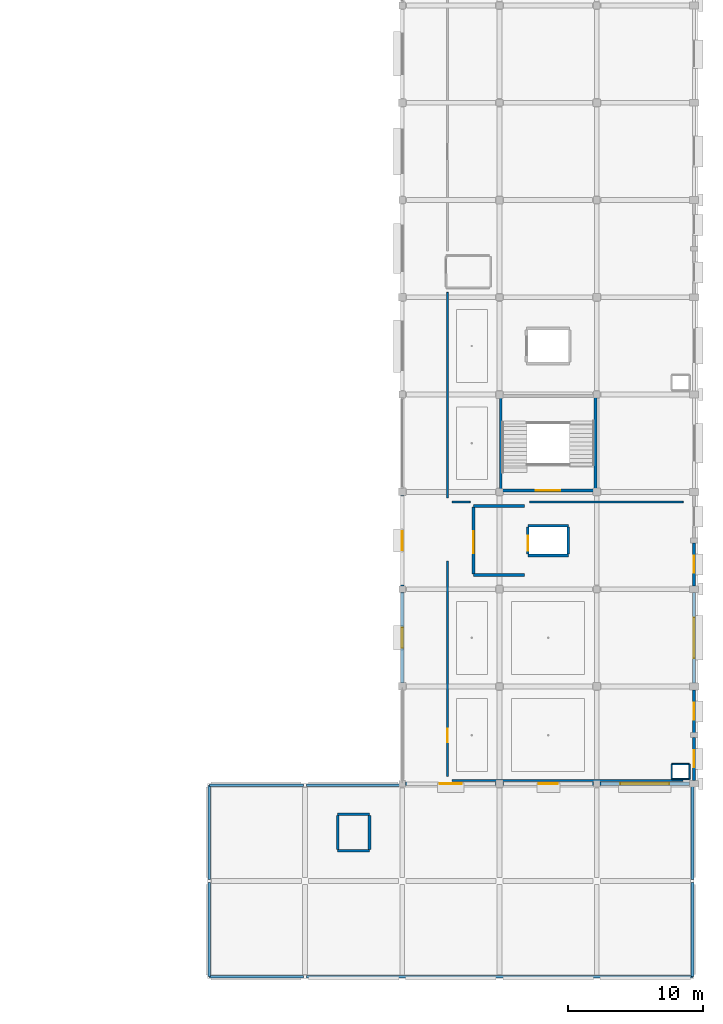
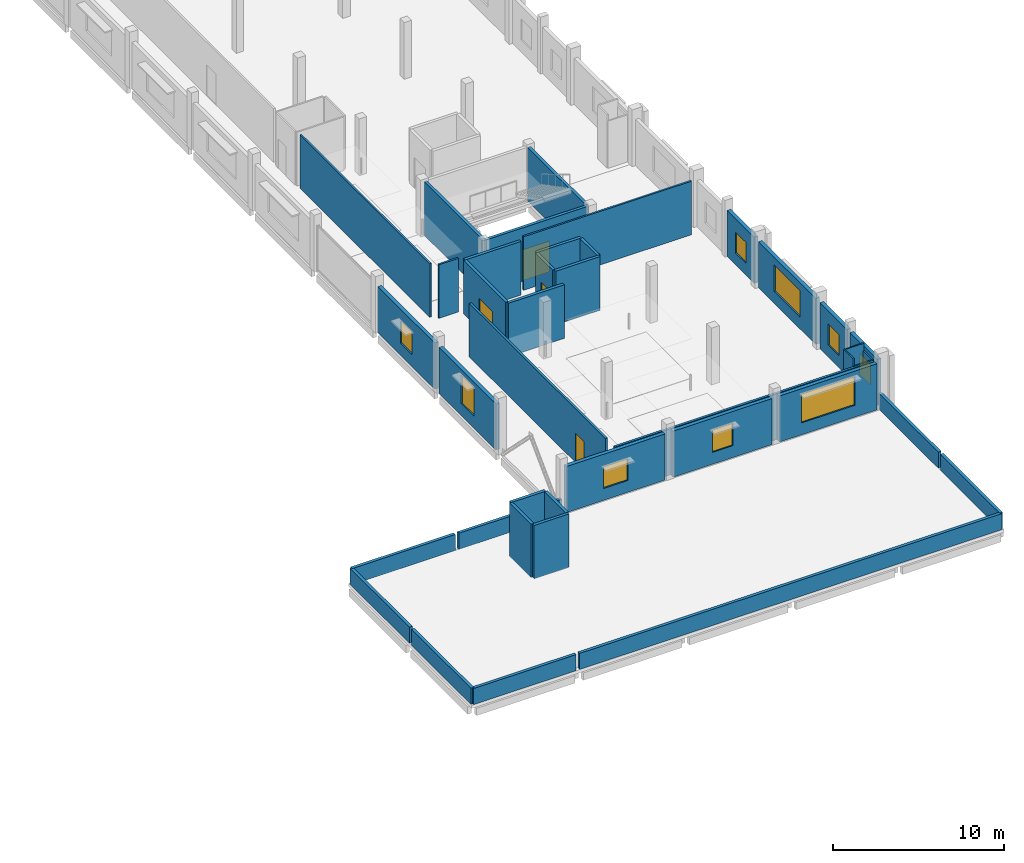
# One storey, part 17 of 26: 40 walls, 9 windows, 4 doors, 13 openings.
"""IFC4 building model written with IfcOpenShell, lengths in metres."""

from ifc_helpers import new_model, si_unit, direction, frame, frame_2d, origin, place, context, subcontext, project, spatial, rectangle, extrude, material, layer, layer_set, type_object, element, fill, save


model = new_model("IFC4")

# Units and contexts
model_context = context("Model", 3, precision=1e-05, world=origin(), true_north=direction((0.0, 1.0)))
body_context = subcontext(model_context, "Body", "Model", "MODEL_VIEW")
ifc_project = project(units=[si_unit("LENGTHUNIT", "METRE"), si_unit("AREAUNIT", "SQUARE_METRE"), si_unit("VOLUMEUNIT", "CUBIC_METRE"), si_unit("PLANEANGLEUNIT", "RADIAN"), si_unit("MASSUNIT", "GRAM", prefix="KILO")], contexts=[model_context])

# Site, building, storey
site_placement = place(None, origin())
site = spatial("IfcSite", under=ifc_project, at=site_placement, CompositionType="ELEMENT")
building_placement = place(site_placement, origin())
building = spatial("IfcBuilding", under=site, at=building_placement, Name="Kangsadwip Square Police Headquarters", CompositionType="ELEMENT")
storey_placement = place(building_placement, frame((0.0, 0.0, 25.64990234375)))
storey = spatial("IfcBuildingStorey", under=building, at=storey_placement, Name="L06", CompositionType="ELEMENT", Elevation=25.64990234375)

# Walls
ifc_material_1 = material(Name="Fire-rated double gypsum board acoustic stud partition", Category="masonry")
ifc_layer_1 = layer(ifc_material_1, 0.1201171875)
ifc_layer_set_1 = layer_set([ifc_layer_1], Name="Fire-rated double gypsum board acoustic stud partition")
wall_type_1 = type_object("IfcWallType", Name="AcousticPartition120", PredefinedType="PARTITIONING", material=ifc_layer_set_1)
wall_1_placement = place(storey_placement, frame((153.429443359375, 56.85009765625, 0.0), z_axis=(0.0, 0.0, 1.0), x_axis=(1.0, 0.0, 0.0)))
element("IfcWall", 1, at=wall_1_placement, inside=storey, type_object=wall_type_1, Name="Interior Wall WI-L06-0928", PredefinedType="PARTITIONING", context=body_context, shape_type="SweptSolid", body=[
    extrude(rectangle(XDim=11.37060546875, YDim=0.1201171875, at=frame_2d((5.685302734375, 0.0))), origin(), (0.0, 0.0, 1.0), 3.830078125),
])
wall_2_placement = place(storey_placement, frame((147.699951171875, 56.85009765625, 0.0), z_axis=(0.0, 0.0, 1.0), x_axis=(1.0, 0.0, 0.0)))
element("IfcWall", 2, at=wall_2_placement, inside=storey, type_object=wall_type_1, Name="Interior Wall WI-L06-0929", PredefinedType="PARTITIONING", context=body_context, shape_type="SweptSolid", body=[
    extrude(rectangle(XDim=1.33056640625, YDim=0.1201171875, at=frame_2d((0.665283203125, 0.0))), origin(), (0.0, 0.0, 1.0), 3.830078125),
])
wall_3_placement = place(storey_placement, frame((147.35009765625, 57.14990234375, 0.0), z_axis=(0.0, 0.0, 1.0), x_axis=(0.0, 1.0, 0.0)))
element("IfcWall", 3, at=wall_3_placement, inside=storey, type_object=wall_type_1, Name="Interior Wall WI-L06-0931", PredefinedType="PARTITIONING", context=body_context, shape_type="SweptSolid", body=[
    extrude(rectangle(XDim=15.22021484375, YDim=0.1201171875, at=frame_2d((7.610107421875, 0.0))), origin(), (0.0, 0.0, 1.0), 3.830078125),
])
ifc_material_2 = material(Name="Autoclaved aerated concrete blockwork masonry", Category="masonry")
ifc_layer_2 = layer(ifc_material_2, 0.14990234375)
ifc_layer_set_2 = layer_set([ifc_layer_2], Name="Autoclaved aerated concrete blockwork masonry")
wall_type_2 = type_object("IfcWallType", Name="BlockPartition150", PredefinedType="PARTITIONING", material=ifc_layer_set_2)
wall_4_placement = place(storey_placement, frame((147.699951171875, 36.25, 0.0), z_axis=(0.0, 0.0, 1.0), x_axis=(1.0, 0.0, 0.0)))
element("IfcWall", 4, at=wall_4_placement, inside=storey, type_object=wall_type_2, Name="Interior Wall WI-L06-0926", PredefinedType="PARTITIONING", context=body_context, shape_type="SweptSolid", body=[
    extrude(rectangle(XDim=17.10009765625, YDim=0.14990234375, at=frame_2d((8.550048828125, 0.0))), origin(), (0.0, 0.0, 1.0), 3.300048828125),
])

# Wall, opening, door
wall_5_placement = place(storey_placement, frame((147.35009765625, 36.550048828125, 0.0), z_axis=(0.0, 0.0, 1.0), x_axis=(0.0, 1.0, 0.0)))
wall_5 = element("IfcWall", 5, at=wall_5_placement, inside=storey, type_object=wall_type_2, Name="Interior Wall WI-L06-0927", PredefinedType="PARTITIONING", context=body_context, shape_type="SweptSolid", body=[
    extrude(rectangle(XDim=15.949951171875, YDim=0.14990234375, at=frame_2d((7.97509765625, 0.0))), origin(), (0.0, 0.0, 1.0), 3.830078125),
])
opening_1_placement = place(wall_5_placement, frame((2.534912109375, 0.0, 0.0)))
opening_1 = element("IfcOpeningElement", 6, at=opening_1_placement, cuts=wall_5, Name="Opening ID-09A", PredefinedType="OPENING", context=body_context, shape_type="SweptSolid", body=[
    extrude(rectangle(XDim=0.97998046875, YDim=2.10009765625, at=frame_2d((0.489990234375, 1.050048828125))), frame((0.0, 0.0849609375, 0.0), z_axis=(0.0, -1.0, 0.0), x_axis=(1.0, 0.0, 0.0)), (0.0, 0.0, 1.0), 0.169921875),
])
ifc_material_3 = material(Name="Solid-core seasoned teak hardwood architectural door", Category="wood")
door_type_1 = type_object("IfcDoorType", Name="OfficeDoor980x2100", OperationType="NOTDEFINED", PredefinedType="DOOR", material=ifc_material_3)
door_1_placement = place(opening_1_placement, origin())
door_1 = element("IfcDoor", 7, at=door_1_placement, inside=storey, type_object=door_type_1, Name="Interior Door ID-L06-0262", OperationType="SINGLE_SWING_RIGHT", OverallHeight=2.10009765625, OverallWidth=0.97998046875, PredefinedType="DOOR", context=body_context, shape_type="SweptSolid", body=[
    extrude(rectangle(XDim=0.97998046875, YDim=2.10009765625, at=frame_2d((0.489990234375, 1.050048828125))), frame((0.0, 0.02490234375, 0.0), z_axis=(0.0, -1.0, 0.0), x_axis=(1.0, 0.0, 0.0)), (0.0, 0.0, 1.0), 0.050048828125),
])
fill(opening_1, door_1)

# Wall, opening, window
ifc_material_4 = material(Name="Glazed architectural terracotta masonry rainscreen", Category="masonry")
ifc_layer_3 = layer(ifc_material_4, 0.25)
ifc_layer_set_3 = layer_set([ifc_layer_3], Name="Glazed architectural terracotta masonry rainscreen")
wall_type_3 = type_object("IfcWallType", Name="ChicagoTerracottaWall250", PredefinedType="SOLIDWALL", material=ifc_layer_set_3)
wall_6_placement = place(storey_placement, frame((144.2451171875, 36.0, 0.0), z_axis=(0.0, 0.0, 1.0), x_axis=(1.0, 0.0, 0.0)))
wall_6 = element("IfcWall", 8, at=wall_6_placement, inside=storey, type_object=wall_type_3, Name="Exterior Wall WE-L06-537", PredefinedType="SOLIDWALL", context=body_context, shape_type="SweptSolid", body=[
    extrude(rectangle(XDim=6.684814453125, YDim=0.25, at=frame_2d((3.34228515625, 0.0))), origin(), (0.0, 0.0, 1.0), 3.295166015625),
])
opening_2_placement = place(wall_6_placement, frame((2.517578125, 0.0, 0.85009765625)))
opening_2 = element("IfcOpeningElement", 9, at=opening_2_placement, cuts=wall_6, Name="Opening WN-11", PredefinedType="OPENING", context=body_context, shape_type="SweptSolid", body=[
    extrude(rectangle(XDim=1.64990234375, YDim=1.550048828125, at=frame_2d((0.824951171875, 0.77490234375))), frame((0.0, 0.135009765625, 0.0), z_axis=(0.0, -1.0, 0.0), x_axis=(1.0, 0.0, 0.0)), (0.0, 0.0, 1.0), 0.27001953125),
])
ifc_material_5 = material(Name="Double-glazed solar-control low-E safety glass", Category="glass")
window_type_1 = type_object("IfcWindowType", Name="LabCleanViewWin1650x1550", PartitioningType="SINGLE_PANEL", PredefinedType="WINDOW", material=ifc_material_5)
window_1_placement = place(opening_2_placement, origin())
window_1 = element("IfcWindow", 10, at=window_1_placement, inside=storey, type_object=window_type_1, Name="Window WN-L06-0386", OverallHeight=1.550048828125, OverallWidth=1.64990234375, PartitioningType="SINGLE_PANEL", PredefinedType="WINDOW", context=body_context, shape_type="SweptSolid", body=[
    extrude(rectangle(XDim=1.64990234375, YDim=1.550048828125, at=frame_2d((0.824951171875, 0.77490234375))), frame((0.0, 0.030029296875, 0.0), z_axis=(0.0, -1.0, 0.0), x_axis=(1.0, 0.0, 0.0)), (0.0, 0.0, 1.0), 0.06005859375),
])
fill(opening_2, window_1)

wall_7_placement = place(storey_placement, frame((151.469970703125, 36.0, 0.0), z_axis=(0.0, 0.0, 1.0), x_axis=(1.0, 0.0, 0.0)))
wall_7 = element("IfcWall", 11, at=wall_7_placement, inside=storey, type_object=wall_type_3, Name="Exterior Wall WE-L06-538", PredefinedType="SOLIDWALL", context=body_context, shape_type="SweptSolid", body=[
    extrude(rectangle(XDim=6.68505859375, YDim=0.25, at=frame_2d((3.342529296875, 0.0))), origin(), (0.0, 0.0, 1.0), 3.295166015625),
])
opening_3_placement = place(wall_7_placement, frame((2.642578125, 0.0, 0.85009765625)))
opening_3 = element("IfcOpeningElement", 12, at=opening_3_placement, cuts=wall_7, Name="Opening WN-13", PredefinedType="OPENING", context=body_context, shape_type="SweptSolid", body=[
    extrude(rectangle(XDim=1.39990234375, YDim=1.60009765625, at=frame_2d((0.699951171875, 0.800048828125))), frame((0.0, 0.135009765625, 0.0), z_axis=(0.0, -1.0, 0.0), x_axis=(1.0, 0.0, 0.0)), (0.0, 0.0, 1.0), 0.27001953125),
])
ifc_material_6 = material(Name="Double-glazed solar-control low-E safety glass", Category="glass")
window_type_2 = type_object("IfcWindowType", Name="OfficeCasementWin1400x1600", PartitioningType="SINGLE_PANEL", PredefinedType="WINDOW", material=ifc_material_6)
window_2_placement = place(opening_3_placement, origin())
window_2 = element("IfcWindow", 13, at=window_2_placement, inside=storey, type_object=window_type_2, Name="Window WN-L06-0387", OverallHeight=1.60009765625, OverallWidth=1.39990234375, PartitioningType="SINGLE_PANEL", PredefinedType="WINDOW", context=body_context, shape_type="SweptSolid", body=[
    extrude(rectangle(XDim=1.39990234375, YDim=1.60009765625, at=frame_2d((0.699951171875, 0.800048828125))), frame((0.0, 0.030029296875, 0.0), z_axis=(0.0, -1.0, 0.0), x_axis=(1.0, 0.0, 0.0)), (0.0, 0.0, 1.0), 0.06005859375),
])
fill(opening_3, window_2)

wall_8_placement = place(storey_placement, frame((158.64501953125, 36.0, 0.0), z_axis=(0.0, 0.0, 1.0), x_axis=(1.0, 0.0, 0.0)))
wall_8 = element("IfcWall", 14, at=wall_8_placement, inside=storey, type_object=wall_type_3, Name="Exterior Wall WE-L06-539", PredefinedType="SOLIDWALL", context=body_context, shape_type="SweptSolid", body=[
    extrude(rectangle(XDim=6.60986328125, YDim=0.25, at=frame_2d((3.304931640625, 0.0))), origin(), (0.0, 0.0, 1.0), 3.295166015625),
])
opening_4_placement = place(wall_8_placement, frame((1.5048828125, 0.0, 0.85009765625)))
opening_4 = element("IfcOpeningElement", 15, at=opening_4_placement, cuts=wall_8, Name="Opening WN-01", PredefinedType="OPENING", context=body_context, shape_type="SweptSolid", body=[
    extrude(rectangle(XDim=3.60009765625, YDim=2.050048828125, at=frame_2d((1.800048828125, 1.02490234375))), frame((0.0, 0.135009765625, 0.0), z_axis=(0.0, -1.0, 0.0), x_axis=(1.0, 0.0, 0.0)), (0.0, 0.0, 1.0), 0.27001953125),
])
ifc_material_7 = material(Name="Double-glazed solar-control low-E safety glass", Category="glass")
window_type_3 = type_object("IfcWindowType", Name="ChicagoTripartiteWin3600x2050", PartitioningType="TRIPLE_PANEL_HORIZONTAL", PredefinedType="WINDOW", material=ifc_material_7)
window_3_placement = place(opening_4_placement, origin())
window_3 = element("IfcWindow", 16, at=window_3_placement, inside=storey, type_object=window_type_3, Name="Window WN-L06-0388", OverallHeight=2.050048828125, OverallWidth=3.60009765625, PartitioningType="SINGLE_PANEL", PredefinedType="WINDOW", context=body_context, shape_type="SweptSolid", body=[
    extrude(rectangle(XDim=3.60009765625, YDim=2.050048828125, at=frame_2d((1.800048828125, 1.02490234375))), frame((0.0, 0.030029296875, 0.0), z_axis=(0.0, -1.0, 0.0), x_axis=(1.0, 0.0, 0.0)), (0.0, 0.0, 1.0), 0.06005859375),
])
fill(opening_4, window_3)

wall_9_placement = place(storey_placement, frame((144.0, 43.469970703125, 0.0), z_axis=(0.0, 0.0, 1.0), x_axis=(0.0, 1.0, 0.0)))
wall_9 = element("IfcWall", 17, at=wall_9_placement, inside=storey, type_object=wall_type_3, Name="Exterior Wall WE-L06-563", PredefinedType="SOLIDWALL", context=body_context, shape_type="SweptSolid", body=[
    extrude(rectangle(XDim=6.68505859375, YDim=0.25, at=frame_2d((3.342529296875, 0.0))), origin(), (0.0, 0.0, 1.0), 3.295166015625),
])
opening_5_placement = place(wall_9_placement, frame((2.592529296875, 0.0, 0.85009765625)))
opening_5 = element("IfcOpeningElement", 18, at=opening_5_placement, cuts=wall_9, Name="Opening WN-12", PredefinedType="OPENING", context=body_context, shape_type="SweptSolid", body=[
    extrude(rectangle(XDim=1.5, YDim=2.050048828125, at=frame_2d((0.75, 1.02490234375))), frame((0.0, 0.135009765625, 0.0), z_axis=(0.0, -1.0, 0.0), x_axis=(1.0, 0.0, 0.0)), (0.0, 0.0, 1.0), 0.27001953125),
])
ifc_material_8 = material(Name="Double-glazed solar-control low-E safety glass", Category="glass")
window_type_4 = type_object("IfcWindowType", Name="DirectorateTallWin1500x2050", PartitioningType="SINGLE_PANEL", PredefinedType="WINDOW", material=ifc_material_8)
window_4_placement = place(opening_5_placement, origin())
window_4 = element("IfcWindow", 19, at=window_4_placement, inside=storey, type_object=window_type_4, Name="Window WN-L06-0412", OverallHeight=2.050048828125, OverallWidth=1.5, PartitioningType="SINGLE_PANEL", PredefinedType="WINDOW", context=body_context, shape_type="SweptSolid", body=[
    extrude(rectangle(XDim=1.5, YDim=2.050048828125, at=frame_2d((0.75, 1.02490234375))), frame((0.0, 0.030029296875, 0.0), z_axis=(0.0, -1.0, 0.0), x_axis=(1.0, 0.0, 0.0)), (0.0, 0.0, 1.0), 0.06005859375),
])
fill(opening_5, window_4)

wall_10_placement = place(storey_placement, frame((144.0, 50.64501953125, 0.0), z_axis=(0.0, 0.0, 1.0), x_axis=(0.0, 1.0, 0.0)))
wall_10 = element("IfcWall", 20, at=wall_10_placement, inside=storey, type_object=wall_type_3, Name="Exterior Wall WE-L06-564", PredefinedType="SOLIDWALL", context=body_context, shape_type="SweptSolid", body=[
    extrude(rectangle(XDim=6.68505859375, YDim=0.25, at=frame_2d((3.342529296875, 0.0))), origin(), (0.0, 0.0, 1.0), 3.295166015625),
])
opening_6_placement = place(wall_10_placement, frame((2.642578125, 0.0, 0.85009765625)))
opening_6 = element("IfcOpeningElement", 21, at=opening_6_placement, cuts=wall_10, Name="Opening WN-13", PredefinedType="OPENING", context=body_context, shape_type="SweptSolid", body=[
    extrude(rectangle(XDim=1.39990234375, YDim=1.60009765625, at=frame_2d((0.699951171875, 0.800048828125))), frame((0.0, 0.135009765625, 0.0), z_axis=(0.0, -1.0, 0.0), x_axis=(1.0, 0.0, 0.0)), (0.0, 0.0, 1.0), 0.27001953125),
])
window_5_placement = place(opening_6_placement, origin())
window_5 = element("IfcWindow", 22, at=window_5_placement, inside=storey, type_object=window_type_2, Name="Window WN-L06-0413", OverallHeight=1.60009765625, OverallWidth=1.39990234375, PartitioningType="SINGLE_PANEL", PredefinedType="WINDOW", context=body_context, shape_type="SweptSolid", body=[
    extrude(rectangle(XDim=1.39990234375, YDim=1.60009765625, at=frame_2d((0.699951171875, 0.800048828125))), frame((0.0, 0.030029296875, 0.0), z_axis=(0.0, -1.0, 0.0), x_axis=(1.0, 0.0, 0.0)), (0.0, 0.0, 1.0), 0.06005859375),
])
fill(opening_6, window_5)

wall_11_placement = place(storey_placement, frame((165.60009765625, 36.2451171875, 0.0), z_axis=(0.0, 0.0, 1.0), x_axis=(0.0, 1.0, 0.0)))
wall_11 = element("IfcWall", 23, at=wall_11_placement, inside=storey, type_object=wall_type_3, Name="Exterior Wall WE-L06-569", PredefinedType="SOLIDWALL", context=body_context, shape_type="SweptSolid", body=[
    extrude(rectangle(XDim=3.184814453125, YDim=0.25, at=frame_2d((1.59228515625, 0.0))), origin(), (0.0, 0.0, 1.0), 3.295166015625),
])
opening_7_placement = place(wall_11_placement, frame((0.967529296875, 0.0, 0.85009765625)))
opening_7 = element("IfcOpeningElement", 24, at=opening_7_placement, cuts=wall_11, Name="Opening WN-14", PredefinedType="OPENING", context=body_context, shape_type="SweptSolid", body=[
    extrude(rectangle(XDim=1.25, YDim=1.5, at=frame_2d((0.625, 0.75))), frame((0.0, 0.135009765625, 0.0), z_axis=(0.0, -1.0, 0.0), x_axis=(1.0, 0.0, 0.0)), (0.0, 0.0, 1.0), 0.27001953125),
])
ifc_material_9 = material(Name="Double-glazed solar-control low-E safety glass", Category="glass")
window_type_5 = type_object("IfcWindowType", Name="OfficeCasementWin1250x1500", PartitioningType="SINGLE_PANEL", PredefinedType="WINDOW", material=ifc_material_9)
window_6_placement = place(opening_7_placement, origin())
window_6 = element("IfcWindow", 25, at=window_6_placement, inside=storey, type_object=window_type_5, Name="Window WN-L06-0418", OverallHeight=1.5, OverallWidth=1.25, PartitioningType="SINGLE_PANEL", PredefinedType="WINDOW", context=body_context, shape_type="SweptSolid", body=[
    extrude(rectangle(XDim=1.25, YDim=1.5, at=frame_2d((0.625, 0.75))), frame((0.0, 0.030029296875, 0.0), z_axis=(0.0, -1.0, 0.0), x_axis=(1.0, 0.0, 0.0)), (0.0, 0.0, 1.0), 0.06005859375),
])
fill(opening_7, window_6)

wall_12_placement = place(storey_placement, frame((165.60009765625, 39.77001953125, 0.0), z_axis=(0.0, 0.0, 1.0), x_axis=(0.0, 1.0, 0.0)))
wall_12 = element("IfcWall", 26, at=wall_12_placement, inside=storey, type_object=wall_type_3, Name="Exterior Wall WE-L06-570", PredefinedType="SOLIDWALL", context=body_context, shape_type="SweptSolid", body=[
    extrude(rectangle(XDim=3.18505859375, YDim=0.25, at=frame_2d((1.592529296875, 0.0))), origin(), (0.0, 0.0, 1.0), 3.295166015625),
])
opening_8_placement = place(wall_12_placement, frame((0.967529296875, 0.0, 0.85009765625)))
opening_8 = element("IfcOpeningElement", 27, at=opening_8_placement, cuts=wall_12, Name="Opening WN-14", PredefinedType="OPENING", context=body_context, shape_type="SweptSolid", body=[
    extrude(rectangle(XDim=1.25, YDim=1.5, at=frame_2d((0.625, 0.75))), frame((0.0, 0.135009765625, 0.0), z_axis=(0.0, -1.0, 0.0), x_axis=(1.0, 0.0, 0.0)), (0.0, 0.0, 1.0), 0.27001953125),
])
window_7_placement = place(opening_8_placement, origin())
window_7 = element("IfcWindow", 28, at=window_7_placement, inside=storey, type_object=window_type_5, Name="Window WN-L06-0419", OverallHeight=1.5, OverallWidth=1.25, PartitioningType="SINGLE_PANEL", PredefinedType="WINDOW", context=body_context, shape_type="SweptSolid", body=[
    extrude(rectangle(XDim=1.25, YDim=1.5, at=frame_2d((0.625, 0.75))), frame((0.0, 0.030029296875, 0.0), z_axis=(0.0, -1.0, 0.0), x_axis=(1.0, 0.0, 0.0)), (0.0, 0.0, 1.0), 0.06005859375),
])
fill(opening_8, window_7)

wall_13_placement = place(storey_placement, frame((165.60009765625, 43.445068359375, 0.0), z_axis=(0.0, 0.0, 1.0), x_axis=(0.0, 1.0, 0.0)))
wall_13 = element("IfcWall", 29, at=wall_13_placement, inside=storey, type_object=wall_type_3, Name="Exterior Wall WE-L06-571", PredefinedType="SOLIDWALL", context=body_context, shape_type="SweptSolid", body=[
    extrude(rectangle(XDim=6.7099609375, YDim=0.25, at=frame_2d((3.35498046875, 0.0))), origin(), (0.0, 0.0, 1.0), 3.295166015625),
])
opening_9_placement = place(wall_13_placement, frame((1.85498046875, 0.0, 0.85009765625)))
opening_9 = element("IfcOpeningElement", 30, at=opening_9_placement, cuts=wall_13, Name="Opening WN-04", PredefinedType="OPENING", context=body_context, shape_type="SweptSolid", body=[
    extrude(rectangle(XDim=3.0, YDim=1.89990234375, at=frame_2d((1.5, 0.949951171875))), frame((0.0, 0.135009765625, 0.0), z_axis=(0.0, -1.0, 0.0), x_axis=(1.0, 0.0, 0.0)), (0.0, 0.0, 1.0), 0.27001953125),
])
ifc_material_10 = material(Name="Double-glazed solar-control low-E safety glass", Category="glass")
window_type_6 = type_object("IfcWindowType", Name="ChicagoTripartiteWin3000x1900", PartitioningType="TRIPLE_PANEL_HORIZONTAL", PredefinedType="WINDOW", material=ifc_material_10)
window_8_placement = place(opening_9_placement, origin())
window_8 = element("IfcWindow", 31, at=window_8_placement, inside=storey, type_object=window_type_6, Name="Window WN-L06-0420", OverallHeight=1.89990234375, OverallWidth=3.0, PartitioningType="SINGLE_PANEL", PredefinedType="WINDOW", context=body_context, shape_type="SweptSolid", body=[
    extrude(rectangle(XDim=3.0, YDim=1.89990234375, at=frame_2d((1.5, 0.949951171875))), frame((0.0, 0.030029296875, 0.0), z_axis=(0.0, -1.0, 0.0), x_axis=(1.0, 0.0, 0.0)), (0.0, 0.0, 1.0), 0.06005859375),
])
fill(opening_9, window_8)

wall_14_placement = place(storey_placement, frame((165.60009765625, 50.64501953125, 0.0), z_axis=(0.0, 0.0, 1.0), x_axis=(0.0, 1.0, 0.0)))
wall_14 = element("IfcWall", 32, at=wall_14_placement, inside=storey, type_object=wall_type_3, Name="Exterior Wall WE-L06-572", PredefinedType="SOLIDWALL", context=body_context, shape_type="SweptSolid", body=[
    extrude(rectangle(XDim=3.18505859375, YDim=0.25, at=frame_2d((1.592529296875, 0.0))), origin(), (0.0, 0.0, 1.0), 3.295166015625),
])
opening_10_placement = place(wall_14_placement, frame((0.967529296875, 0.0, 0.85009765625)))
opening_10 = element("IfcOpeningElement", 33, at=opening_10_placement, cuts=wall_14, Name="Opening WN-14", PredefinedType="OPENING", context=body_context, shape_type="SweptSolid", body=[
    extrude(rectangle(XDim=1.25, YDim=1.5, at=frame_2d((0.625, 0.75))), frame((0.0, 0.135009765625, 0.0), z_axis=(0.0, -1.0, 0.0), x_axis=(1.0, 0.0, 0.0)), (0.0, 0.0, 1.0), 0.27001953125),
])
window_9_placement = place(opening_10_placement, origin())
window_9 = element("IfcWindow", 34, at=window_9_placement, inside=storey, type_object=window_type_5, Name="Window WN-L06-0421", OverallHeight=1.5, OverallWidth=1.25, PartitioningType="SINGLE_PANEL", PredefinedType="WINDOW", context=body_context, shape_type="SweptSolid", body=[
    extrude(rectangle(XDim=1.25, YDim=1.5, at=frame_2d((0.625, 0.75))), frame((0.0, 0.030029296875, 0.0), z_axis=(0.0, -1.0, 0.0), x_axis=(1.0, 0.0, 0.0)), (0.0, 0.0, 1.0), 0.06005859375),
])
fill(opening_10, window_9)

# Wall, opening, door
ifc_material_11 = material(Name="Concrete M40 (40 MPa)", Category="concrete")
ifc_layer_4 = layer(ifc_material_11, 0.199951171875)
ifc_layer_set_4 = layer_set([ifc_layer_4], Name="Concrete M40 (40 MPa)")
wall_type_4 = type_object("IfcWallType", Name="CoreShearWall200", PredefinedType="SHEAR", material=ifc_layer_set_4)
wall_15_placement = place(storey_placement, frame((151.39990234375, 57.699951171875, 0.0), z_axis=(0.0, 0.0, 1.0), x_axis=(1.0, 0.0, 0.0)))
wall_15 = element("IfcWall", 35, at=wall_15_placement, inside=storey, type_object=wall_type_4, Name="Interior Wall WI-L06-0117", PredefinedType="SHEAR", context=body_context, shape_type="SweptSolid", body=[
    extrude(rectangle(XDim=6.800048828125, YDim=0.199951171875, at=frame_2d((3.39990234375, 0.0))), origin(), (0.0, 0.0, 1.0), 3.830078125),
])
opening_11_placement = place(wall_15_placement, frame((2.5, 0.0, 0.0)))
opening_11 = element("IfcOpeningElement", 36, at=opening_11_placement, cuts=wall_15, Name="Opening FD-18", PredefinedType="OPENING", context=body_context, shape_type="SweptSolid", body=[
    extrude(rectangle(XDim=1.800048828125, YDim=2.199951171875, at=frame_2d((0.89990234375, 1.10009765625))), frame((0.0, 0.10986328125, 0.0), z_axis=(0.0, -1.0, 0.0), x_axis=(1.0, 0.0, 0.0)), (0.0, 0.0, 1.0), 0.219970703125),
])
ifc_material_12 = material(Name="Insulated galvanized steel fire-rated door assembly", Category="steel")
door_type_2 = type_object("IfcDoorType", Name="StairFireDoor1800x2200", OperationType="DOUBLE_DOOR_SINGLE_SWING", PredefinedType="DOOR", material=ifc_material_12)
door_2_placement = place(opening_11_placement, origin())
door_2 = element("IfcDoor", 37, at=door_2_placement, inside=storey, type_object=door_type_2, Name="Interior Door ID-L06-0026", OperationType="DOUBLE_DOOR_SINGLE_SWING", OverallHeight=2.199951171875, OverallWidth=1.800048828125, PredefinedType="DOOR", context=body_context, shape_type="SweptSolid", body=[
    extrude(rectangle(XDim=1.800048828125, YDim=2.199951171875, at=frame_2d((0.89990234375, 1.10009765625))), frame((0.0, 0.02490234375, 0.0), z_axis=(0.0, -1.0, 0.0), x_axis=(1.0, 0.0, 0.0)), (0.0, 0.0, 1.0), 0.050048828125),
])
fill(opening_11, door_2)

# Walls
for number, where, z_axis, x_axis, name in (
    (38, (151.300048828125, 57.800048828125, 0.0), (0.0, 0.0, 1.0), (0.0, 1.0, 0.0), "Interior Wall WI-L06-0119"),
    (39, (158.300048828125, 57.800048828125, 0.0), (0.0, 0.0, 1.0), (0.0, 1.0, 0.0), "Interior Wall WI-L06-0120"),
):
    element("IfcWall", number, at=place(storey_placement, frame(where, z_axis=z_axis, x_axis=x_axis)), inside=storey, type_object=wall_type_4, Name=name, PredefinedType="SHEAR", context=body_context, shape_type="SweptSolid", body=[
        extrude(rectangle(XDim=6.800048828125, YDim=0.199951171875, at=frame_2d((3.39990234375, 0.0))), origin(), (0.0, 0.0, 1.0), 3.830078125),
    ])
for number, where, z_axis, x_axis, name in (
    (40, (153.300048828125, 52.89990234375, 0.0), (0.0, 0.0, 1.0), (1.0, 0.0, 0.0), "Interior Wall WI-L06-0339"),
    (41, (153.300048828125, 55.10009765625, 0.0), (0.0, 0.0, 1.0), (1.0, 0.0, 0.0), "Interior Wall WI-L06-0340"),
):
    element("IfcWall", number, at=place(storey_placement, frame(where, z_axis=z_axis, x_axis=x_axis)), inside=storey, type_object=wall_type_4, Name=name, PredefinedType="SHEAR", context=body_context, shape_type="SweptSolid", body=[
        extrude(rectangle(XDim=3.0, YDim=0.199951171875, at=frame_2d((1.5, 0.0))), origin(), (0.0, 0.0, 1.0), 3.830078125),
    ])

# Wall, opening, door
wall_16_placement = place(storey_placement, frame((153.300048828125, 53.0, 0.0), z_axis=(0.0, 0.0, 1.0), x_axis=(0.0, 1.0, 0.0)))
wall_16 = element("IfcWall", 42, at=wall_16_placement, inside=storey, type_object=wall_type_4, Name="Interior Wall WI-L06-0341", PredefinedType="SHEAR", context=body_context, shape_type="SweptSolid", body=[
    extrude(rectangle(XDim=2.0, YDim=0.199951171875, at=frame_2d((1.0, 0.0))), origin(), (0.0, 0.0, 1.0), 3.830078125),
])
opening_12_placement = place(wall_16_placement, frame((0.25, 0.0, 0.0)))
opening_12 = element("IfcOpeningElement", 43, at=opening_12_placement, cuts=wall_16, Name="Opening LD-026", PredefinedType="OPENING", context=body_context, shape_type="SweptSolid", body=[
    extrude(rectangle(XDim=1.10009765625, YDim=2.14990234375, at=frame_2d((0.550048828125, 1.074951171875))), frame((0.0, 0.10986328125, 0.0), z_axis=(0.0, -1.0, 0.0), x_axis=(1.0, 0.0, 0.0)), (0.0, 0.0, 1.0), 0.219970703125),
])
ifc_material_13 = material(Name="Brushed stainless steel automatic sliding lift landing door", Category="steel")
door_type_3 = type_object("IfcDoorType", Name="LiftLandingDoor1100x2150", OperationType="DOUBLE_DOOR_SLIDING", PredefinedType="DOOR", material=ifc_material_13)
door_3_placement = place(opening_12_placement, origin())
door_3 = element("IfcDoor", 44, at=door_3_placement, inside=storey, type_object=door_type_3, Name="Interior Door LD-026", OperationType="DOUBLE_DOOR_SLIDING", OverallHeight=2.14990234375, OverallWidth=1.10009765625, PredefinedType="DOOR", context=body_context, shape_type="SweptSolid", body=[
    extrude(rectangle(XDim=1.10009765625, YDim=2.14990234375, at=frame_2d((0.550048828125, 1.074951171875))), frame((0.0, 0.02490234375, 0.0), z_axis=(0.0, -1.0, 0.0), x_axis=(1.0, 0.0, 0.0)), (0.0, 0.0, 1.0), 0.050048828125),
])
fill(opening_12, door_3)

# Walls
wall_17_placement = place(storey_placement, frame((156.300048828125, 53.0, 0.0), z_axis=(0.0, 0.0, 1.0), x_axis=(0.0, 1.0, 0.0)))
element("IfcWall", 45, at=wall_17_placement, inside=storey, type_object=wall_type_4, Name="Interior Wall WI-L06-0342", PredefinedType="SHEAR", context=body_context, shape_type="SweptSolid", body=[
    extrude(rectangle(XDim=2.0, YDim=0.199951171875, at=frame_2d((1.0, 0.0))), origin(), (0.0, 0.0, 1.0), 3.830078125),
])
for number, where, z_axis, x_axis, name in (
    (46, (139.22509765625, 31.050048828125, 0.0), (0.0, 0.0, 1.0), (1.0, 0.0, 0.0), "Interior Wall WI-L06-0511"),
    (47, (139.22509765625, 33.75, 0.0), (0.0, 0.0, 1.0), (1.0, 0.0, 0.0), "Interior Wall WI-L06-0512"),
):
    element("IfcWall", number, at=place(storey_placement, frame(where, z_axis=z_axis, x_axis=x_axis)), inside=storey, type_object=wall_type_4, Name=name, PredefinedType="SHEAR", context=body_context, shape_type="SweptSolid", body=[
        extrude(rectangle(XDim=2.349853515625, YDim=0.199951171875, at=frame_2d((1.1748046875, 0.0))), origin(), (0.0, 0.0, 1.0), 3.830078125),
    ])
for number, where, z_axis, x_axis, name in (
    (48, (139.22509765625, 31.14990234375, 0.0), (0.0, 0.0, 1.0), (0.0, 1.0, 0.0), "Interior Wall WI-L06-0513"),
    (49, (141.574951171875, 31.14990234375, 0.0), (0.0, 0.0, 1.0), (0.0, 1.0, 0.0), "Interior Wall WI-L06-0514"),
):
    element("IfcWall", number, at=place(storey_placement, frame(where, z_axis=z_axis, x_axis=x_axis)), inside=storey, type_object=wall_type_4, Name=name, PredefinedType="SHEAR", context=body_context, shape_type="SweptSolid", body=[
        extrude(rectangle(XDim=2.5, YDim=0.199951171875, at=frame_2d((1.25, 0.0))), origin(), (0.0, 0.0, 1.0), 3.830078125),
    ])

# Wall, opening, door
ifc_material_14 = material(Name="Concrete M40 (40 MPa)", Category="concrete")
ifc_layer_5 = layer(ifc_material_14, 0.199951171875)
ifc_layer_set_5 = layer_set([ifc_layer_5], Name="Concrete M40 (40 MPa)")
wall_type_5 = type_object("IfcWallType", Name="CustodySecurityWall200", PredefinedType="SOLIDWALL", material=ifc_layer_set_5)
wall_18_placement = place(storey_placement, frame((149.280029296875, 51.530029296875, 0.0), z_axis=(0.0, 0.0, 1.0), x_axis=(0.0, 1.0, 0.0)))
wall_18 = element("IfcWall", 50, at=wall_18_placement, inside=storey, type_object=wall_type_5, Name="Interior Wall WI-L06-0907", PredefinedType="SOLIDWALL", context=body_context, shape_type="SweptSolid", body=[
    extrude(rectangle(XDim=4.93994140625, YDim=0.199951171875, at=frame_2d((2.469970703125, 0.0))), origin(), (0.0, 0.0, 1.0), 3.830078125),
])
opening_13_placement = place(wall_18_placement, frame((1.541015625, 0.0, 0.0)))
opening_13 = element("IfcOpeningElement", 51, at=opening_13_placement, cuts=wall_18, Name="Opening FD-16", PredefinedType="OPENING", context=body_context, shape_type="SweptSolid", body=[
    extrude(rectangle(XDim=1.60009765625, YDim=2.199951171875, at=frame_2d((0.800048828125, 1.10009765625))), frame((0.0, 0.10986328125, 0.0), z_axis=(0.0, -1.0, 0.0), x_axis=(1.0, 0.0, 0.0)), (0.0, 0.0, 1.0), 0.219970703125),
])
ifc_material_15 = material(Name="Insulated galvanized steel fire-rated door assembly", Category="steel")
door_type_4 = type_object("IfcDoorType", Name="FfLobbyFireDoor1600x2200", OperationType="DOUBLE_DOOR_SINGLE_SWING", PredefinedType="DOOR", material=ifc_material_15)
door_4_placement = place(opening_13_placement, origin())
door_4 = element("IfcDoor", 52, at=door_4_placement, inside=storey, type_object=door_type_4, Name="Interior Door ID-L06-0255", OperationType="DOUBLE_DOOR_SINGLE_SWING", OverallHeight=2.199951171875, OverallWidth=1.60009765625, PredefinedType="DOOR", context=body_context, shape_type="SweptSolid", body=[
    extrude(rectangle(XDim=1.60009765625, YDim=2.199951171875, at=frame_2d((0.800048828125, 1.10009765625))), frame((0.0, 0.02490234375, 0.0), z_axis=(0.0, -1.0, 0.0), x_axis=(1.0, 0.0, 0.0)), (0.0, 0.0, 1.0), 0.050048828125),
])
fill(opening_13, door_4)

# Walls
for number, where, z_axis, x_axis, name in (
    (53, (149.280029296875, 51.449951171875, 0.0), (0.0, 0.0, 1.0), (1.0, 0.0, 0.0), "Interior Wall WI-L06-0908"),
    (54, (149.280029296875, 56.550048828125, 0.0), (0.0, 0.0, 1.0), (1.0, 0.0, 0.0), "Interior Wall WI-L06-0909"),
):
    element("IfcWall", number, at=place(storey_placement, frame(where, z_axis=z_axis, x_axis=x_axis)), inside=storey, type_object=wall_type_5, Name=name, PredefinedType="SOLIDWALL", context=body_context, shape_type="SweptSolid", body=[
        extrude(rectangle(XDim=3.780029296875, YDim=0.199951171875, at=frame_2d((1.89013671875, 0.0))), origin(), (0.0, 0.0, 1.0), 3.830078125),
    ])
ifc_material_16 = material(Name="Concrete M35 (35 MPa)", Category="concrete")
ifc_layer_6 = layer(ifc_material_16, 0.199951171875)
ifc_layer_set_6 = layer_set([ifc_layer_6], Name="Concrete M35 (35 MPa)")
wall_type_6 = type_object("IfcWallType", Name="RoofParapetWall200", PredefinedType="PARAPET", material=ifc_layer_set_6)
for number, where, z_axis, x_axis, name in (
    (55, (129.719970703125, 35.8798828125, 0.0), (0.0, 0.0, 1.0), (1.0, 0.0, 0.0), "Exterior Wall WE-L06-635"),
    (56, (129.719970703125, 21.719970703125, 0.0), (0.0, 0.0, 1.0), (1.0, 0.0, 0.0), "Exterior Wall WE-L06-636"),
    (57, (136.919921875, 35.8798828125, 0.0), (0.0, 0.0, 1.0), (1.0, 0.0, 0.0), "Exterior Wall WE-L06-637"),
):
    element("IfcWall", number, at=place(storey_placement, frame(where, z_axis=z_axis, x_axis=x_axis)), inside=storey, type_object=wall_type_6, Name=name, PredefinedType="PARAPET", context=body_context, shape_type="SweptSolid", body=[
        extrude(rectangle(XDim=6.9599609375, YDim=0.199951171875, at=frame_2d((3.47998046875, 0.0))), origin(), (0.0, 0.0, 1.0), 1.150146484375),
    ])
wall_19_placement = place(storey_placement, frame((136.919921875, 21.719970703125, 0.0), z_axis=(0.0, 0.0, 1.0), x_axis=(1.0, 0.0, 0.0)))
element("IfcWall", 58, at=wall_19_placement, inside=storey, type_object=wall_type_6, Name="Exterior Wall WE-L06-638", PredefinedType="PARAPET", context=body_context, shape_type="SweptSolid", body=[
    extrude(rectangle(XDim=28.56005859375, YDim=0.199951171875, at=frame_2d((14.280029296875, 0.0))), origin(), (0.0, 0.0, 1.0), 1.150146484375),
])
for number, where, z_axis, x_axis, name in (
    (59, (165.47998046875, 21.719970703125, 0.0), (0.0, 0.0, 1.0), (0.0, 1.0, 0.0), "Exterior Wall WE-L06-639"),
    (60, (129.719970703125, 21.719970703125, 0.0), (0.0, 0.0, 1.0), (0.0, 1.0, 0.0), "Exterior Wall WE-L06-640"),
    (61, (165.47998046875, 28.919921875, 0.0), (0.0, 0.0, 1.0), (0.0, 1.0, 0.0), "Exterior Wall WE-L06-641"),
    (62, (129.719970703125, 28.919921875, 0.0), (0.0, 0.0, 1.0), (0.0, 1.0, 0.0), "Exterior Wall WE-L06-642"),
):
    element("IfcWall", number, at=place(storey_placement, frame(where, z_axis=z_axis, x_axis=x_axis)), inside=storey, type_object=wall_type_6, Name=name, PredefinedType="PARAPET", context=body_context, shape_type="SweptSolid", body=[
        extrude(rectangle(XDim=6.9599609375, YDim=0.199951171875, at=frame_2d((3.47998046875, 0.0))), origin(), (0.0, 0.0, 1.0), 1.150146484375),
    ])
ifc_material_17 = material(Name="Autoclaved aerated concrete blockwork masonry", Category="masonry")
ifc_layer_7 = layer(ifc_material_17, 0.10009765625)
ifc_layer_set_7 = layer_set([ifc_layer_7], Name="Autoclaved aerated concrete blockwork masonry")
wall_type_7 = type_object("IfcWallType", Name="WetWallPartition100", PredefinedType="PARTITIONING", material=ifc_layer_set_7)
wall_20_placement = place(storey_placement, frame((163.949951171875, 36.35009765625, 0.0), z_axis=(0.0, 0.0, 1.0), x_axis=(1.0, 0.0, 0.0)))
element("IfcWall", 63, at=wall_20_placement, inside=storey, type_object=wall_type_7, Name="Interior Wall WI-L06-0603", PredefinedType="PARTITIONING", context=body_context, shape_type="SweptSolid", body=[
    extrude(rectangle(XDim=1.300048828125, YDim=0.10009765625, at=frame_2d((0.64990234375, 0.0))), origin(), (0.0, 0.0, 1.0), 3.300048828125),
])
wall_21_placement = place(storey_placement, frame((163.949951171875, 37.449951171875, 0.0), z_axis=(0.0, 0.0, 1.0), x_axis=(1.0, 0.0, 0.0)))
element("IfcWall", 64, at=wall_21_placement, inside=storey, type_object=wall_type_7, Name="Interior Wall WI-L06-0604", PredefinedType="PARTITIONING", context=body_context, shape_type="SweptSolid", body=[
    extrude(rectangle(XDim=1.300048828125, YDim=0.10009765625, at=frame_2d((0.64990234375, 0.0))), origin(), (0.0, 0.0, 1.0), 3.830078125),
])
wall_22_placement = place(storey_placement, frame((163.949951171875, 36.35009765625, 0.0), z_axis=(0.0, 0.0, 1.0), x_axis=(0.0, 1.0, 0.0)))
element("IfcWall", 65, at=wall_22_placement, inside=storey, type_object=wall_type_7, Name="Interior Wall WI-L06-0605", PredefinedType="PARTITIONING", context=body_context, shape_type="SweptSolid", body=[
    extrude(rectangle(XDim=1.099853515625, YDim=0.10009765625, at=frame_2d((0.5498046875, 0.0))), origin(), (0.0, 0.0, 1.0), 3.830078125),
])
wall_23_placement = place(storey_placement, frame((165.25, 36.35009765625, 0.0), z_axis=(0.0, 0.0, 1.0), x_axis=(0.0, 1.0, 0.0)))
element("IfcWall", 66, at=wall_23_placement, inside=storey, type_object=wall_type_7, Name="Interior Wall WI-L06-0606", PredefinedType="PARTITIONING", context=body_context, shape_type="SweptSolid", body=[
    extrude(rectangle(XDim=1.099853515625, YDim=0.10009765625, at=frame_2d((0.5498046875, 0.0))), origin(), (0.0, 0.0, 1.0), 3.300048828125),
])

save(model, "model.ifc")
